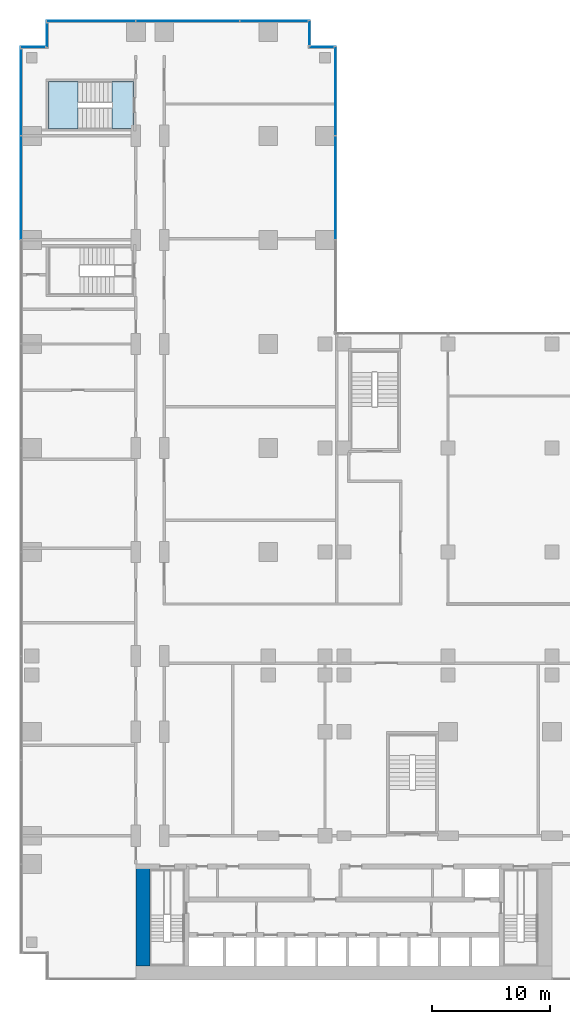
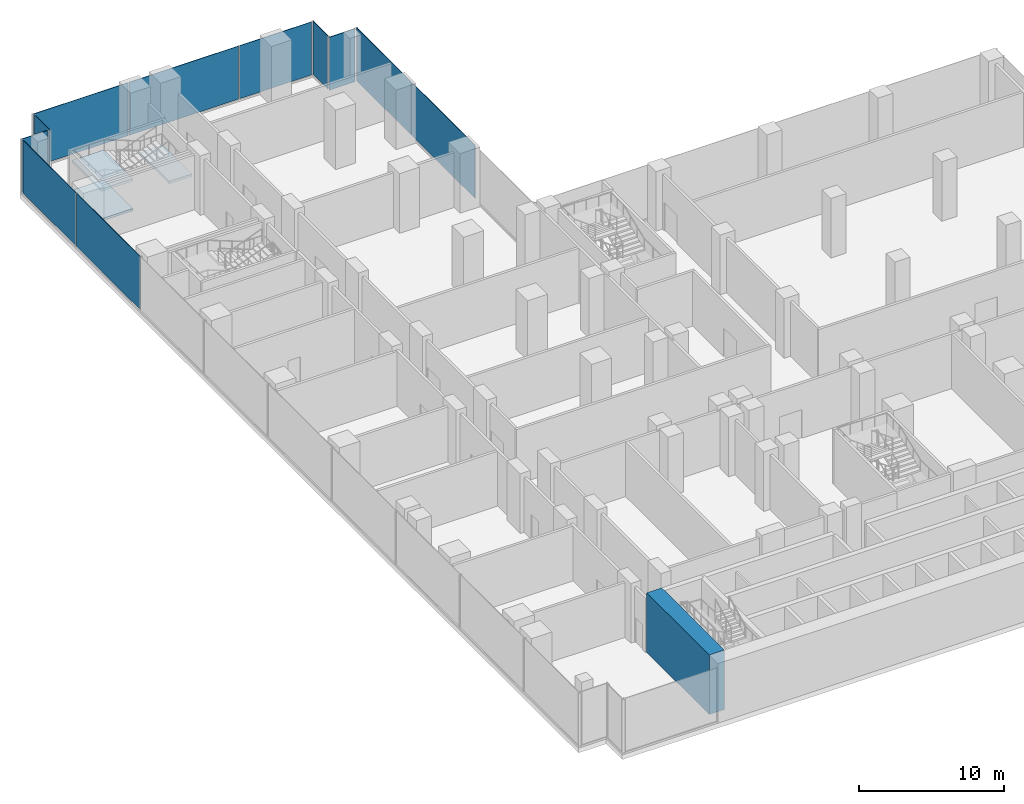
# One storey, part 17 of 30: 11 plates, 3 slabs, 1 wall, 8 elements without a shape of their own.
"""IFC4 building model written with IfcOpenShell, lengths in metres."""

from ifc_helpers import new_model, si_unit, direction, frame, frame_2d, origin, origin_2d, place, context, subcontext, project, spatial, polyline, rectangle, outline, extrude, source, transform, mapped, material, layer, layer_set, type_object, element, aggregate, save


model = new_model("IFC4")

# Units and contexts
model_context = context("Model", 3, precision=1e-05, world=origin(), true_north=direction((0.0, 1.0)))
body_context = subcontext(model_context, "Body", "Model", "MODEL_VIEW")
ifc_project = project(units=[si_unit("LENGTHUNIT", "METRE"), si_unit("AREAUNIT", "SQUARE_METRE"), si_unit("VOLUMEUNIT", "CUBIC_METRE"), si_unit("PLANEANGLEUNIT", "RADIAN"), si_unit("MASSUNIT", "GRAM", prefix="KILO")], contexts=[model_context])

# Site, building, storey
site_placement = place(None, origin())
site = spatial("IfcSite", under=ifc_project, at=site_placement, CompositionType="ELEMENT")
building_placement = place(site_placement, origin())
building = spatial("IfcBuilding", under=site, at=building_placement, Name="Kemantara Hotel Tower", CompositionType="ELEMENT")
storey_placement = place(building_placement, frame((0.0, 0.0, 13.0)))
storey = spatial("IfcBuildingStorey", under=building, at=storey_placement, Name="L02", CompositionType="ELEMENT", Elevation=13.0)

# Stair, slabs
ifc_material_1 = material(Name="Concrete fc 40 MPa", Category="concrete")
stair_type = type_object("IfcStairType", Name="Stair 1800 wide 36 risers of 139 x 360 mm", PredefinedType="HALF_TURN_STAIR", material=ifc_material_1)
stair_placement = place(storey_placement, origin())
stair = element("IfcStair", 1, at=stair_placement, inside=storey, type_object=stair_type, Name="L02 Exit stair ST6", PredefinedType="HALF_TURN_STAIR")
ifc_layer_1 = layer(ifc_material_1, 0.199951171875)
ifc_layer_set_1 = layer_set([ifc_layer_1], Name="Concrete fc 40 MPa")
slab_type = type_object("IfcSlabType", Name="Stair landing 200 mm", PredefinedType="LANDING", material=ifc_layer_set_1)
slab_1_placement = place(storey_placement, frame((0.0, 0.0, 1.050048828125)))
slab_1 = element("IfcSlab", 2, at=slab_1_placement, type_object=slab_type, Name="ST6 landing 1", PredefinedType="LANDING", context=body_context, shape_type="SweptSolid", body=[
    extrude(outline(polyline([(4.919921875, 76.0), (2.39990234375, 76.0), (2.39990234375, 72.0), (4.919921875, 72.0), (4.919921875, 76.0)])), origin(), (0.0, 0.0, 1.0), 0.199951171875),
])
slab_2_placement = place(storey_placement, frame((0.0, 0.0, 2.300048828125)))
slab_2 = element("IfcSlab", 3, at=slab_2_placement, type_object=slab_type, Name="ST6 landing 2", PredefinedType="LANDING", context=body_context, shape_type="SweptSolid", body=[
    extrude(outline(polyline([(9.60009765625, 76.0), (7.800048828125, 76.0), (7.800048828125, 72.0), (9.60009765625, 72.0), (9.60009765625, 76.0)])), origin(), (0.0, 0.0, 1.0), 0.199951171875),
])
slab_3_placement = place(storey_placement, frame((0.0, 0.0, 3.550048828125)))
slab_3 = element("IfcSlab", 4, at=slab_3_placement, type_object=slab_type, Name="ST6 landing 3", PredefinedType="LANDING", context=body_context, shape_type="SweptSolid", body=[
    extrude(outline(polyline([(4.919921875, 76.0), (2.39990234375, 76.0), (2.39990234375, 72.0), (4.919921875, 72.0), (4.919921875, 76.0)])), origin(), (0.0, 0.0, 1.0), 0.199951171875),
])
aggregate(stair, [slab_1, slab_2, slab_3])

# Curtain wall, plate
ifc_material_2 = material(Name="Laminated tinted insulated glass 44 mm", Category="glass")
curtain_wall_type = type_object("IfcCurtainWallType", Name="PODIUM GLASS CURTAIN WALL", PredefinedType="USERDEFINED", material=ifc_material_2)
curtain_wall_1_placement = place(storey_placement, origin())
curtain_wall_1 = element("IfcCurtainWall", 5, at=curtain_wall_1_placement, inside=storey, type_object=curtain_wall_type, Name="CW1 L02 POD-R10-1", ObjectType="PODIUM GLASS CURTAIN WALL", PredefinedType="USERDEFINED")
ifc_layer_2 = layer(ifc_material_2, 0.0439453125)
ifc_layer_set_2 = layer_set([ifc_layer_2], Name="Laminated tinted insulated glass 44 mm")
plate_type = type_object("IfcPlateType", Name="PODIUM GLASS CURTAIN WALL PANEL", PredefinedType="CURTAIN_PANEL", material=ifc_layer_set_2)
shared_shape_1 = source(origin(), body_context, "Body", "SweptSolid", [
    extrude(rectangle(XDim=8.72509765625, YDim=0.0439453125, at=origin_2d()), origin(), (0.0, 0.0, 1.0), 4.449951171875),
])
plate_1_placement = place(storey_placement, frame((26.699951171875, 67.0, 0.14990234375), z_axis=(0.0, 0.0, 1.0), x_axis=(0.0, 1.0, 0.0)))
plate_1 = element("IfcPlate", 6, at=plate_1_placement, type_object=plate_type, Name="CW1 glass panel POD-R10-1.2", PredefinedType="CURTAIN_PANEL", context=body_context, shape_type="MappedRepresentation", body=[
    mapped(shared_shape_1, transform((0.0, 0.0, 0.0))),
])

curtain_wall_2_placement = place(storey_placement, origin())
curtain_wall_2 = element("IfcCurtainWall", 7, at=curtain_wall_2_placement, inside=storey, type_object=curtain_wall_type, Name="CW1 L02 POD-R13-1", ObjectType="PODIUM GLASS CURTAIN WALL", PredefinedType="USERDEFINED")
plate_2_placement = place(storey_placement, frame((14.199951171875, 81.10009765625, 0.14990234375), z_axis=(0.0, 0.0, 1.0), x_axis=(-1.0, 0.0, 0.0)))
plate_2 = element("IfcPlate", 8, at=plate_2_placement, type_object=plate_type, Name="CW1 glass panel POD-R13-1.2", PredefinedType="CURTAIN_PANEL", context=body_context, shape_type="MappedRepresentation", body=[
    mapped(shared_shape_1, transform((0.0, 0.0, 0.0))),
])

curtain_wall_3_placement = place(storey_placement, origin())
curtain_wall_3 = element("IfcCurtainWall", 9, at=curtain_wall_3_placement, inside=storey, type_object=curtain_wall_type, Name="CW1 L02 POD-R16-1", ObjectType="PODIUM GLASS CURTAIN WALL", PredefinedType="USERDEFINED")
plate_3_placement = place(storey_placement, frame((0.10009765625, 67.0, 0.14990234375), z_axis=(0.0, 0.0, 1.0), x_axis=(0.0, -1.0, 0.0)))
plate_3 = element("IfcPlate", 10, at=plate_3_placement, type_object=plate_type, Name="CW1 glass panel POD-R16-1.2", PredefinedType="CURTAIN_PANEL", context=body_context, shape_type="MappedRepresentation", body=[
    mapped(shared_shape_1, transform((0.0, 0.0, 0.0))),
])

# Plate
shared_shape_2 = source(origin(), body_context, "Body", "SweptSolid", [
    extrude(rectangle(XDim=7.487548828125, YDim=0.0439453125, at=origin_2d()), origin(), (0.0, 0.0, 1.0), 4.449951171875),
])
plate_4_placement = place(storey_placement, frame((26.699951171875, 75.18115234375, 0.14990234375), z_axis=(0.0, 0.0, 1.0), x_axis=(0.0, 1.0, 0.0)))
plate_4 = element("IfcPlate", 11, at=plate_4_placement, type_object=plate_type, Name="CW1 glass panel POD-R10-1.3", PredefinedType="CURTAIN_PANEL", context=body_context, shape_type="MappedRepresentation", body=[
    mapped(shared_shape_2, transform((0.0, 0.0, 0.0))),
])

aggregate(curtain_wall_1, [plate_1, plate_4])

plate_5_placement = place(storey_placement, frame((6.018798828125, 81.10009765625, 0.14990234375), z_axis=(0.0, 0.0, 1.0), x_axis=(-1.0, 0.0, 0.0)))
plate_5 = element("IfcPlate", 12, at=plate_5_placement, type_object=plate_type, Name="CW1 glass panel POD-R13-1.3", PredefinedType="CURTAIN_PANEL", context=body_context, shape_type="MappedRepresentation", body=[
    mapped(shared_shape_2, transform((0.0, 0.0, 0.0))),
])

shared_shape_3 = source(origin(), body_context, "Body", "SweptSolid", [
    extrude(rectangle(XDim=7.28759765625, YDim=0.0439453125, at=origin_2d()), origin(), (0.0, 0.0, 1.0), 4.449951171875),
])
plate_6_placement = place(storey_placement, frame((0.10009765625, 75.081298828125, 0.14990234375), z_axis=(0.0, 0.0, 1.0), x_axis=(0.0, -1.0, 0.0)))
plate_6 = element("IfcPlate", 13, at=plate_6_placement, type_object=plate_type, Name="CW1 glass panel POD-R16-1.1", PredefinedType="CURTAIN_PANEL", context=body_context, shape_type="MappedRepresentation", body=[
    mapped(shared_shape_3, transform((0.0, 0.0, 0.0))),
])

aggregate(curtain_wall_3, [plate_6, plate_3])

shared_shape_4 = source(origin(), body_context, "Body", "SweptSolid", [
    extrude(rectangle(XDim=5.6875, YDim=0.0439453125, at=origin_2d()), origin(), (0.0, 0.0, 1.0), 4.449951171875),
])
plate_7_placement = place(storey_placement, frame((21.481201171875, 81.10009765625, 0.14990234375), z_axis=(0.0, 0.0, 1.0), x_axis=(-1.0, 0.0, 0.0)))
plate_7 = element("IfcPlate", 14, at=plate_7_placement, type_object=plate_type, Name="CW1 glass panel POD-R13-1.1", PredefinedType="CURTAIN_PANEL", context=body_context, shape_type="MappedRepresentation", body=[
    mapped(shared_shape_4, transform((0.0, 0.0, 0.0))),
])

aggregate(curtain_wall_2, [plate_7, plate_2, plate_5])

# Curtain wall, plate
curtain_wall_4_placement = place(storey_placement, origin())
curtain_wall_4 = element("IfcCurtainWall", 15, at=curtain_wall_4_placement, inside=storey, type_object=curtain_wall_type, Name="CW1 L02 POD-R11-1", ObjectType="PODIUM GLASS CURTAIN WALL", PredefinedType="USERDEFINED")
shared_shape_5 = source(origin(), body_context, "Body", "SweptSolid", [
    extrude(rectangle(XDim=2.050048828125, YDim=0.0439453125, at=origin_2d()), origin(), (0.0, 0.0, 1.0), 4.449951171875),
])
plate_8_placement = place(storey_placement, frame((25.5, 78.89990234375, 0.14990234375), z_axis=(0.0, 0.0, 1.0), x_axis=(-1.0, 0.0, 0.0)))
plate_8 = element("IfcPlate", 16, at=plate_8_placement, type_object=plate_type, Name="CW1 glass panel POD-R11-1.1", PredefinedType="CURTAIN_PANEL", context=body_context, shape_type="MappedRepresentation", body=[
    mapped(shared_shape_5, transform((0.0, 0.0, 0.0))),
])
aggregate(curtain_wall_4, [plate_8])

curtain_wall_5_placement = place(storey_placement, origin())
curtain_wall_5 = element("IfcCurtainWall", 17, at=curtain_wall_5_placement, inside=storey, type_object=curtain_wall_type, Name="CW1 L02 POD-R12-1", ObjectType="PODIUM GLASS CURTAIN WALL", PredefinedType="USERDEFINED")
plate_9_placement = place(storey_placement, frame((24.5, 80.10009765625, 0.14990234375), z_axis=(0.0, 0.0, 1.0), x_axis=(0.0, 1.0, 0.0)))
plate_9 = element("IfcPlate", 18, at=plate_9_placement, type_object=plate_type, Name="CW1 glass panel POD-R12-1.1", PredefinedType="CURTAIN_PANEL", context=body_context, shape_type="MappedRepresentation", body=[
    mapped(shared_shape_5, transform((0.0, 0.0, 0.0))),
])
aggregate(curtain_wall_5, [plate_9])

curtain_wall_6_placement = place(storey_placement, origin())
curtain_wall_6 = element("IfcCurtainWall", 19, at=curtain_wall_6_placement, inside=storey, type_object=curtain_wall_type, Name="CW1 L02 POD-R14-1", ObjectType="PODIUM GLASS CURTAIN WALL", PredefinedType="USERDEFINED")
plate_10_placement = place(storey_placement, frame((2.300048828125, 79.89990234375, 0.14990234375), z_axis=(0.0, 0.0, 1.0), x_axis=(0.0, -1.0, 0.0)))
plate_10 = element("IfcPlate", 20, at=plate_10_placement, type_object=plate_type, Name="CW1 glass panel POD-R14-1.1", PredefinedType="CURTAIN_PANEL", context=body_context, shape_type="MappedRepresentation", body=[
    mapped(shared_shape_5, transform((0.0, 0.0, 0.0))),
])
aggregate(curtain_wall_6, [plate_10])

curtain_wall_7_placement = place(storey_placement, origin())
curtain_wall_7 = element("IfcCurtainWall", 21, at=curtain_wall_7_placement, inside=storey, type_object=curtain_wall_type, Name="CW1 L02 POD-R15-1", ObjectType="PODIUM GLASS CURTAIN WALL", PredefinedType="USERDEFINED")
plate_11_placement = place(storey_placement, frame((1.10009765625, 78.89990234375, 0.14990234375), z_axis=(0.0, 0.0, 1.0), x_axis=(-1.0, 0.0, 0.0)))
plate_11 = element("IfcPlate", 22, at=plate_11_placement, type_object=plate_type, Name="CW1 glass panel POD-R15-1.1", PredefinedType="CURTAIN_PANEL", context=body_context, shape_type="MappedRepresentation", body=[
    mapped(shared_shape_5, transform((0.0, 0.0, 0.0))),
])
aggregate(curtain_wall_7, [plate_11])

# Wall
ifc_material_3 = material(Name="Concrete fc 70 MPa", Category="concrete")
ifc_layer_3 = layer(ifc_material_3, 1.199951171875)
ifc_layer_set_3 = layer_set([ifc_layer_3], Name="Concrete fc 70 MPa")
wall_type = type_object("IfcWallType", Name="CORE WALL 1200 FC70", PredefinedType="SHEAR", material=ifc_layer_set_3)
wall_placement = place(storey_placement, frame((10.39990234375, 1.199951171875, 0.0), z_axis=(0.0, 0.0, 1.0), x_axis=(0.0, 1.0, 0.0)))
element("IfcWall", 23, at=wall_placement, inside=storey, type_object=wall_type, Name="CORE WALL CW-W", PredefinedType="SHEAR", context=body_context, shape_type="SweptSolid", body=[
    extrude(rectangle(XDim=8.60009765625, YDim=1.199951171875, at=frame_2d((4.300048828125, 0.0))), origin(), (0.0, 0.0, 1.0), 5.0),
])

save(model, "model.ifc")
